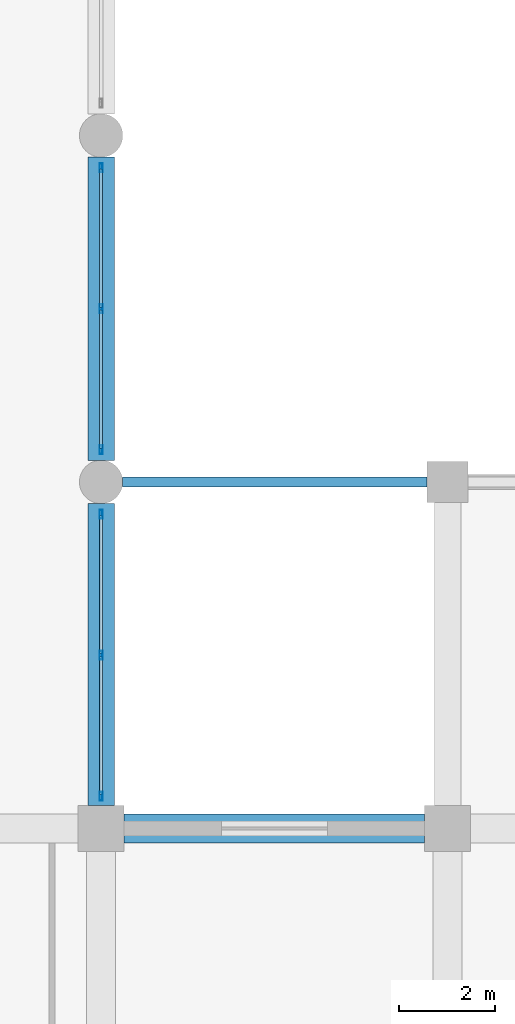
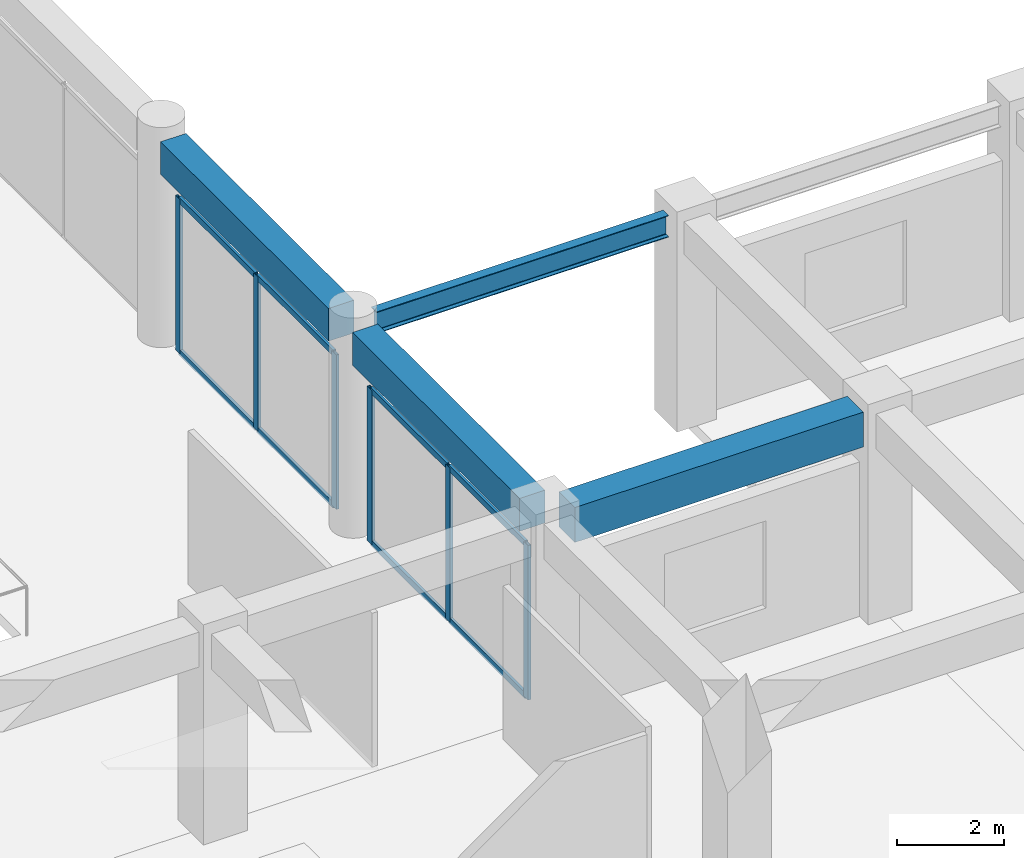
# One storey, part 20 of 54: 14 members, 4 beams, 2 elements without a shape of their own.
"""IFC4 building model written with IfcOpenShell, lengths in metres."""

from ifc_helpers import new_model, si_unit, direction, frame, origin, origin_2d, place, context, subcontext, project, spatial, rectangle, hollow_rectangle, i_section, extrude, material, material_profile, profile_set, type_object, element, aggregate, save


model = new_model("IFC4")

# Units and contexts
model_context = context("Model", 3, precision=1e-05, world=origin(), true_north=direction((0.0, 1.0)))
body_context = subcontext(model_context, "Body", "Model", "MODEL_VIEW")
ifc_project = project(units=[si_unit("LENGTHUNIT", "METRE"), si_unit("AREAUNIT", "SQUARE_METRE"), si_unit("VOLUMEUNIT", "CUBIC_METRE"), si_unit("PLANEANGLEUNIT", "RADIAN"), si_unit("MASSUNIT", "GRAM", prefix="KILO")], contexts=[model_context])

# Site, building, storey
site_placement = place(None, origin())
site = spatial("IfcSite", under=ifc_project, at=site_placement, CompositionType="ELEMENT")
building_placement = place(site_placement, origin())
building = spatial("IfcBuilding", under=site, at=building_placement, Name="Kazehaya Institute of Natural Sciences", CompositionType="ELEMENT")
storey_placement = place(building_placement, frame((0.0, 0.0, 5.39990234375)))
storey = spatial("IfcBuildingStorey", under=building, at=storey_placement, Name="L01", CompositionType="ELEMENT", Elevation=5.39990234375)

# Beams
ifc_material_1 = material(Name="Concrete Fc36", Category="concrete")
ifc_material_profile_1 = material_profile(ifc_material_1, rectangle(XDim=0.550048828125, YDim=0.75, at=origin_2d()), Name="RC-550x750")
ifc_profile_set_1 = profile_set([ifc_material_profile_1], Name="Concrete Fc36")
beam_type_1 = type_object("IfcBeamType", Name="BM-G-550x750", PredefinedType="BEAM", material=ifc_profile_set_1)
beam_1_placement = place(storey_placement, frame((112.199951171875, 36.074951171875, 4.39501953125), z_axis=(0.0, 1.0, 0.0), x_axis=(-1.0, 0.0, 0.0)))
element("IfcBeam", 1, at=beam_1_placement, inside=storey, type_object=beam_type_1, Name="L01 primary Y girder BMY-L01-1122-356", PredefinedType="BEAM", context=body_context, shape_type="SweptSolid", body=[
    extrude(rectangle(XDim=0.550048828125, YDim=0.75, at=origin_2d()), origin(), (0.0, 0.0, 1.0), 6.275146484375),
])
beam_2_placement = place(storey_placement, frame((112.199951171875, 43.25, 4.39501953125), z_axis=(0.0, 1.0, 0.0), x_axis=(-1.0, 0.0, 0.0)))
element("IfcBeam", 2, at=beam_2_placement, inside=storey, type_object=beam_type_1, Name="L01 primary Y girder BMY-L01-1122-428", PredefinedType="BEAM", context=body_context, shape_type="SweptSolid", body=[
    extrude(rectangle(XDim=0.550048828125, YDim=0.75, at=origin_2d()), origin(), (0.0, 0.0, 1.0), 6.300048828125),
])
ifc_material_profile_2 = material_profile(ifc_material_1, rectangle(XDim=0.60009765625, YDim=0.800048828125, at=origin_2d()), Name="RC-600x800")
ifc_profile_set_2 = profile_set([ifc_material_profile_2], Name="Concrete Fc36")
beam_type_2 = type_object("IfcBeamType", Name="BM-G-600x800", PredefinedType="BEAM", material=ifc_profile_set_2)
beam_3_placement = place(storey_placement, frame((112.675048828125, 35.60009765625, 4.3701171875), z_axis=(1.0, 0.0, 0.0), x_axis=(0.0, 1.0, 0.0)))
element("IfcBeam", 3, at=beam_3_placement, inside=storey, type_object=beam_type_2, Name="L01 primary X girder BMX-L01-1122-356", PredefinedType="BEAM", context=body_context, shape_type="SweptSolid", body=[
    extrude(rectangle(XDim=0.60009765625, YDim=0.800048828125, at=origin_2d()), origin(), (0.0, 0.0, 1.0), 6.25),
])
ifc_material_2 = material(Name="Structural steel SN490B", Category="steel")
ifc_material_profile_3 = material_profile(ifc_material_2, i_section(OverallWidth=0.199951171875, OverallDepth=0.5, WebThickness=0.010009765625, FlangeThickness=0.01611328125, FilletRadius=0.01611328125, at=origin_2d()), Name="H-500x200x10x16")
ifc_profile_set_3 = profile_set([ifc_material_profile_3], Name="Structural steel SN490B")
beam_type_3 = type_object("IfcBeamType", Name="BM-STL-H500", PredefinedType="BEAM", material=ifc_profile_set_3)
beam_4_placement = place(storey_placement, frame((112.64990234375, 42.800048828125, 4.52001953125), z_axis=(1.0, 0.0, 0.0), x_axis=(0.0, 1.0, 0.0)))
element("IfcBeam", 4, at=beam_4_placement, inside=storey, type_object=beam_type_3, Name="L01 primary X girder BMX-L01-1122-428", PredefinedType="BEAM", context=body_context, shape_type="SweptSolid", body=[
    extrude(i_section(OverallWidth=0.199951171875, OverallDepth=0.5, WebThickness=0.010009765625, FlangeThickness=0.01611328125, FilletRadius=0.01611328125, at=origin_2d()), origin(), (0.0, 0.0, 1.0), 6.3251953125),
])

# Curtain wall, members
ifc_material_3 = material(Name="Aluminium alloy A6063S-T5", Category="aluminium")
curtain_wall_type = type_object("IfcCurtainWallType", Name="CW-SYS-02", PredefinedType="NOTDEFINED", material=ifc_material_3)
curtain_wall_1_placement = place(storey_placement, origin())
curtain_wall_1 = element("IfcCurtainWall", 5, at=curtain_wall_1_placement, inside=storey, type_object=curtain_wall_type, Name="L01 unitised curtain wall CW-L01-016", PredefinedType="NOTDEFINED")
ifc_material_profile_4 = material_profile(ifc_material_3, hollow_rectangle(XDim=0.06005859375, YDim=0.179931640625, WallThickness=0.00390625, at=origin_2d()), Name="ALU-60x180x4")
ifc_profile_set_4 = profile_set([ifc_material_profile_4], Name="Aluminium alloy A6063S-T5")
member_type_1 = type_object("IfcMemberType", Name="CWM-180", PredefinedType="MULLION", material=ifc_profile_set_4)
member_1_placement = place(storey_placement, frame((112.199951171875, 42.1298828125, 0.0), z_axis=(0.0, 0.0, 1.0), x_axis=(1.0, 0.0, 0.0)))
member_1 = element("IfcMember", 6, at=member_1_placement, type_object=member_type_1, Name="CW02 mullion 1", PredefinedType="MULLION", context=body_context, shape_type="SweptSolid", body=[
    extrude(hollow_rectangle(XDim=0.06005859375, YDim=0.179931640625, WallThickness=0.00390625, at=origin_2d()), origin(), (0.0, 0.0, 1.0), 3.5400390625),
])
member_2_placement = place(storey_placement, frame((112.199951171875, 39.199951171875, 0.0), z_axis=(0.0, 0.0, 1.0), x_axis=(1.0, 0.0, 0.0)))
member_2 = element("IfcMember", 7, at=member_2_placement, type_object=member_type_1, Name="CW02 mullion 2", PredefinedType="MULLION", context=body_context, shape_type="SweptSolid", body=[
    extrude(hollow_rectangle(XDim=0.06005859375, YDim=0.179931640625, WallThickness=0.00390625, at=origin_2d()), origin(), (0.0, 0.0, 1.0), 3.5400390625),
])
member_3_placement = place(storey_placement, frame((112.199951171875, 36.27001953125, 0.0), z_axis=(0.0, 0.0, 1.0), x_axis=(1.0, 0.0, 0.0)))
member_3 = element("IfcMember", 8, at=member_3_placement, type_object=member_type_1, Name="CW02 mullion 3", PredefinedType="MULLION", context=body_context, shape_type="SweptSolid", body=[
    extrude(hollow_rectangle(XDim=0.06005859375, YDim=0.179931640625, WallThickness=0.00390625, at=origin_2d()), origin(), (0.0, 0.0, 1.0), 3.5400390625),
])

curtain_wall_2_placement = place(storey_placement, origin())
curtain_wall_2 = element("IfcCurtainWall", 9, at=curtain_wall_2_placement, inside=storey, type_object=curtain_wall_type, Name="L01 unitised curtain wall CW-L01-018", PredefinedType="NOTDEFINED")
member_4_placement = place(storey_placement, frame((112.199951171875, 49.330078125, 0.0), z_axis=(0.0, 0.0, 1.0), x_axis=(1.0, 0.0, 0.0)))
member_4 = element("IfcMember", 10, at=member_4_placement, type_object=member_type_1, Name="CW02 mullion 1", PredefinedType="MULLION", context=body_context, shape_type="SweptSolid", body=[
    extrude(hollow_rectangle(XDim=0.06005859375, YDim=0.179931640625, WallThickness=0.00390625, at=origin_2d()), origin(), (0.0, 0.0, 1.0), 3.5400390625),
])
member_5_placement = place(storey_placement, frame((112.199951171875, 46.39990234375, 0.0), z_axis=(0.0, 0.0, 1.0), x_axis=(1.0, 0.0, 0.0)))
member_5 = element("IfcMember", 11, at=member_5_placement, type_object=member_type_1, Name="CW02 mullion 2", PredefinedType="MULLION", context=body_context, shape_type="SweptSolid", body=[
    extrude(hollow_rectangle(XDim=0.06005859375, YDim=0.179931640625, WallThickness=0.00390625, at=origin_2d()), origin(), (0.0, 0.0, 1.0), 3.5400390625),
])
member_6_placement = place(storey_placement, frame((112.199951171875, 43.469970703125, 0.0), z_axis=(0.0, 0.0, 1.0), x_axis=(1.0, 0.0, 0.0)))
member_6 = element("IfcMember", 12, at=member_6_placement, type_object=member_type_1, Name="CW02 mullion 3", PredefinedType="MULLION", context=body_context, shape_type="SweptSolid", body=[
    extrude(hollow_rectangle(XDim=0.06005859375, YDim=0.179931640625, WallThickness=0.00390625, at=origin_2d()), origin(), (0.0, 0.0, 1.0), 3.5400390625),
])

# Member
ifc_material_profile_5 = material_profile(ifc_material_3, hollow_rectangle(XDim=0.06005859375, YDim=0.139892578125, WallThickness=0.00341796875, at=origin_2d()), Name="ALU-60x140x3.5")
ifc_profile_set_5 = profile_set([ifc_material_profile_5], Name="Aluminium alloy A6063S-T5")
member_type_2 = type_object("IfcMemberType", Name="CWT-140", PredefinedType="USERDEFINED", material=ifc_profile_set_5)
member_7_placement = place(storey_placement, frame((112.199951171875, 42.10009765625, 0.030029296875), z_axis=(0.0, -1.0, 0.0), x_axis=(1.0, 0.0, 0.0)))
member_7 = element("IfcMember", 13, at=member_7_placement, type_object=member_type_2, Name="CW02 transom 1.1", ObjectType="TRANSOM", PredefinedType="USERDEFINED", context=body_context, shape_type="SweptSolid", body=[
    extrude(hollow_rectangle(XDim=0.06005859375, YDim=0.139892578125, WallThickness=0.00341796875, at=origin_2d()), origin(), (0.0, 0.0, 1.0), 2.8701171875),
])

member_8_placement = place(storey_placement, frame((112.199951171875, 42.10009765625, 3.510009765625), z_axis=(0.0, -1.0, 0.0), x_axis=(1.0, 0.0, 0.0)))
member_8 = element("IfcMember", 14, at=member_8_placement, type_object=member_type_2, Name="CW02 transom 1.2", ObjectType="TRANSOM", PredefinedType="USERDEFINED", context=body_context, shape_type="SweptSolid", body=[
    extrude(hollow_rectangle(XDim=0.06005859375, YDim=0.139892578125, WallThickness=0.00341796875, at=origin_2d()), origin(), (0.0, 0.0, 1.0), 2.8701171875),
])

member_9_placement = place(storey_placement, frame((112.199951171875, 39.169921875, 0.030029296875), z_axis=(0.0, -1.0, 0.0), x_axis=(1.0, 0.0, 0.0)))
member_9 = element("IfcMember", 15, at=member_9_placement, type_object=member_type_2, Name="CW02 transom 2.1", ObjectType="TRANSOM", PredefinedType="USERDEFINED", context=body_context, shape_type="SweptSolid", body=[
    extrude(hollow_rectangle(XDim=0.06005859375, YDim=0.139892578125, WallThickness=0.00341796875, at=origin_2d()), origin(), (0.0, 0.0, 1.0), 2.869873046875),
])

member_10_placement = place(storey_placement, frame((112.199951171875, 39.169921875, 3.510009765625), z_axis=(0.0, -1.0, 0.0), x_axis=(1.0, 0.0, 0.0)))
member_10 = element("IfcMember", 16, at=member_10_placement, type_object=member_type_2, Name="CW02 transom 2.2", ObjectType="TRANSOM", PredefinedType="USERDEFINED", context=body_context, shape_type="SweptSolid", body=[
    extrude(hollow_rectangle(XDim=0.06005859375, YDim=0.139892578125, WallThickness=0.00341796875, at=origin_2d()), origin(), (0.0, 0.0, 1.0), 2.869873046875),
])

aggregate(curtain_wall_1, [member_1, member_2, member_3, member_7, member_8, member_9, member_10])

member_11_placement = place(storey_placement, frame((112.199951171875, 49.300048828125, 0.030029296875), z_axis=(0.0, -1.0, 0.0), x_axis=(1.0, 0.0, 0.0)))
member_11 = element("IfcMember", 17, at=member_11_placement, type_object=member_type_2, Name="CW02 transom 1.1", ObjectType="TRANSOM", PredefinedType="USERDEFINED", context=body_context, shape_type="SweptSolid", body=[
    extrude(hollow_rectangle(XDim=0.06005859375, YDim=0.139892578125, WallThickness=0.00341796875, at=origin_2d()), origin(), (0.0, 0.0, 1.0), 2.8701171875),
])

member_12_placement = place(storey_placement, frame((112.199951171875, 49.300048828125, 3.510009765625), z_axis=(0.0, -1.0, 0.0), x_axis=(1.0, 0.0, 0.0)))
member_12 = element("IfcMember", 18, at=member_12_placement, type_object=member_type_2, Name="CW02 transom 1.2", ObjectType="TRANSOM", PredefinedType="USERDEFINED", context=body_context, shape_type="SweptSolid", body=[
    extrude(hollow_rectangle(XDim=0.06005859375, YDim=0.139892578125, WallThickness=0.00341796875, at=origin_2d()), origin(), (0.0, 0.0, 1.0), 2.8701171875),
])

member_13_placement = place(storey_placement, frame((112.199951171875, 46.3701171875, 0.030029296875), z_axis=(0.0, -1.0, 0.0), x_axis=(1.0, 0.0, 0.0)))
member_13 = element("IfcMember", 19, at=member_13_placement, type_object=member_type_2, Name="CW02 transom 2.1", ObjectType="TRANSOM", PredefinedType="USERDEFINED", context=body_context, shape_type="SweptSolid", body=[
    extrude(hollow_rectangle(XDim=0.06005859375, YDim=0.139892578125, WallThickness=0.00341796875, at=origin_2d()), origin(), (0.0, 0.0, 1.0), 2.8701171875),
])

member_14_placement = place(storey_placement, frame((112.199951171875, 46.3701171875, 3.510009765625), z_axis=(0.0, -1.0, 0.0), x_axis=(1.0, 0.0, 0.0)))
member_14 = element("IfcMember", 20, at=member_14_placement, type_object=member_type_2, Name="CW02 transom 2.2", ObjectType="TRANSOM", PredefinedType="USERDEFINED", context=body_context, shape_type="SweptSolid", body=[
    extrude(hollow_rectangle(XDim=0.06005859375, YDim=0.139892578125, WallThickness=0.00341796875, at=origin_2d()), origin(), (0.0, 0.0, 1.0), 2.8701171875),
])

aggregate(curtain_wall_2, [member_4, member_5, member_6, member_11, member_12, member_13, member_14])

save(model, "model.ifc")
